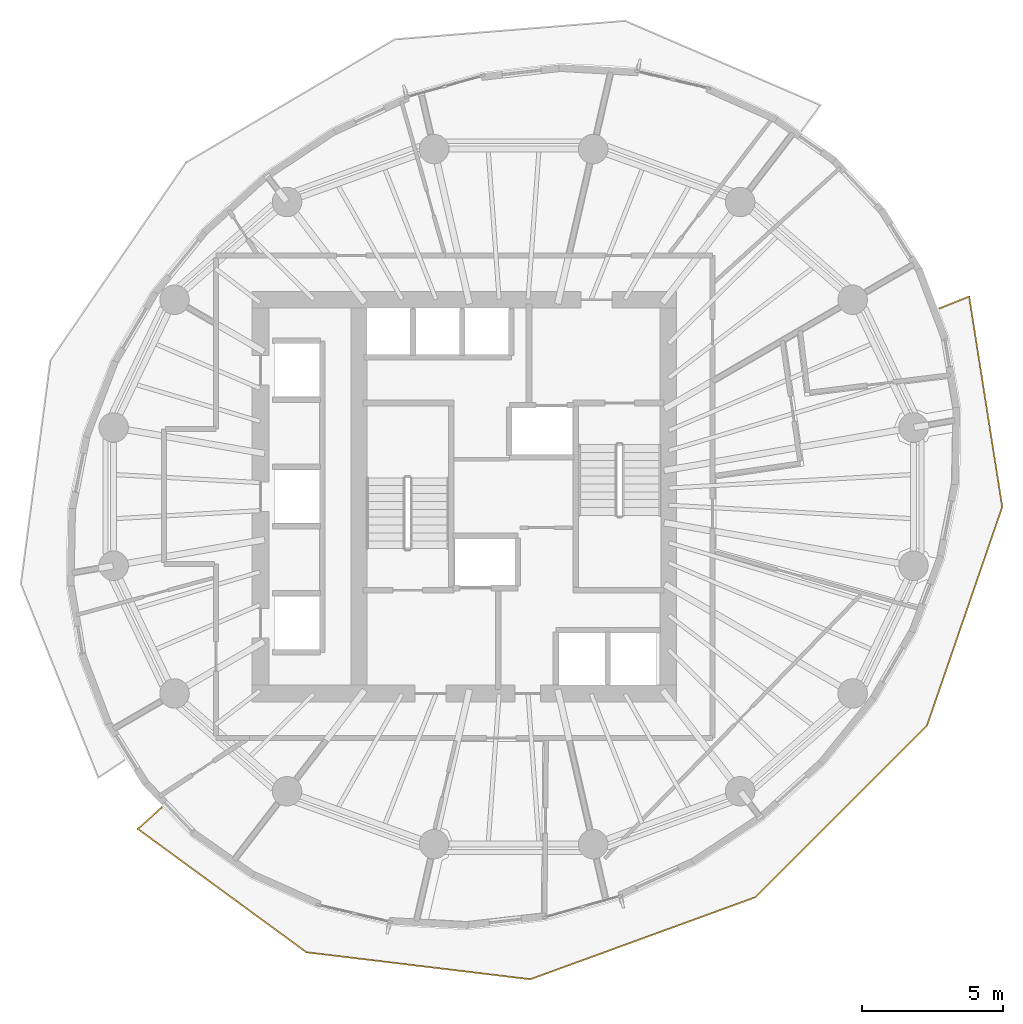
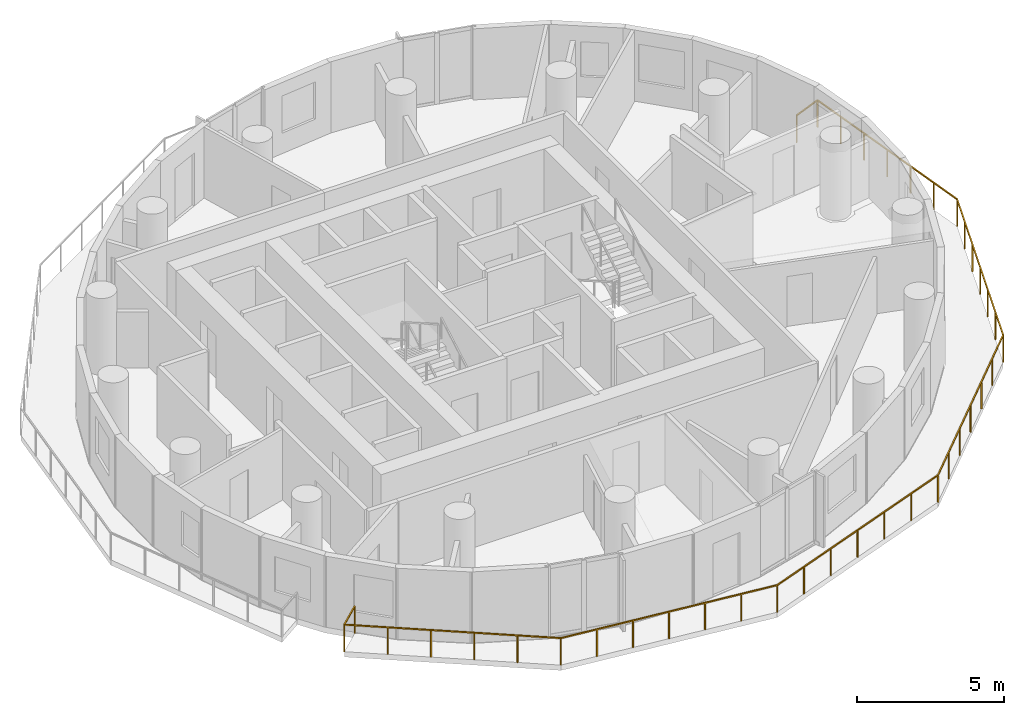
# One storey, part 10 of 13: 1 railing.
"""IFC4 building model written with IfcOpenShell, lengths in metres."""

from ifc_helpers import new_model, si_unit, direction, frame, origin, origin_2d, place, context, subcontext, project, spatial, rectangle, extrude, material, type_object, element, save


model = new_model("IFC4")

# Units and contexts
model_context = context("Model", 3, precision=1e-05, world=origin(), true_north=direction((0.0, 1.0)))
body_context = subcontext(model_context, "Body", "Model", "MODEL_VIEW")
ifc_project = project(units=[si_unit("LENGTHUNIT", "METRE"), si_unit("AREAUNIT", "SQUARE_METRE"), si_unit("VOLUMEUNIT", "CUBIC_METRE"), si_unit("PLANEANGLEUNIT", "RADIAN"), si_unit("MASSUNIT", "GRAM", prefix="KILO")], contexts=[model_context])

# Site, building, storey
site_placement = place(None, origin())
site = spatial("IfcSite", under=ifc_project, at=site_placement, CompositionType="ELEMENT")
building_placement = place(site_placement, origin())
building = spatial("IfcBuilding", under=site, at=building_placement, Name="Veldorim Arch Residences", CompositionType="ELEMENT")
storey_placement = place(building_placement, frame((0.0, 0.0, 152.159912109375)))
storey = spatial("IfcBuildingStorey", under=building, at=storey_placement, Name="L45", CompositionType="ELEMENT", Elevation=152.159912109375)

# Railing
ifc_material = material(Name="Aluminium", Category="aluminium")
railing_type = type_object("IfcRailingType", Name="Balcony & Terrace Laminated Glass Balustrade 1150", PredefinedType="BALUSTRADE", material=ifc_material)
railing_placement = place(storey_placement, frame((19.491943359375, 12.951416015625, 0.0)))
element("IfcRailing", 1, at=railing_placement, inside=storey, type_object=railing_type, Name="L45 crescent balcony safety balustrade B", PredefinedType="BALUSTRADE", context=body_context, shape_type="SweptSolid", body=[
    extrude(rectangle(XDim=0.048095703125, YDim=0.048095703125, at=origin_2d()), frame((0.0, 0.0, 1.1259765625), z_axis=(-0.742977403306, -0.66931650075, 0.0), x_axis=(0.66931650075, -0.742977403306, 0.0)), (0.0, 0.0, 1.0), 1.150146484375),
    extrude(rectangle(XDim=0.048095703125, YDim=0.048095703125, at=origin_2d()), frame((-0.8544921875, -0.769775390625, 1.1259765625), z_axis=(0.807092966632, -0.590424375525, 0.0), x_axis=(0.590424375525, 0.807092966632, 0.0)), (0.0, 0.0, 1.0), 7.428955078125),
    extrude(rectangle(XDim=0.048095703125, YDim=0.048095703125, at=origin_2d()), frame((5.141357421875, -5.156005859375, 1.1259765625), z_axis=(0.99280709634, -0.119724974241, 0.0), x_axis=(0.119724974241, 0.99280709634, 0.0)), (0.0, 0.0, 1.0), 8.02001953125),
    extrude(rectangle(XDim=0.048095703125, YDim=0.048095703125, at=origin_2d()), frame((13.103759765625, -6.1162109375, 1.1259765625), z_axis=(0.939530851567, 0.342464273981, 0.0), x_axis=(-0.342464273981, 0.939530851567, 0.0)), (0.0, 0.0, 1.0), 8.533447265625),
    extrude(rectangle(XDim=0.048095703125, YDim=0.048095703125, at=origin_2d()), frame((21.12109375, -3.19384765625, 1.1259765625), z_axis=(0.706412741279, 0.707800140547, 0.0), x_axis=(-0.707800140547, 0.706412741279, 0.0)), (0.0, 0.0, 1.0), 8.62255859375),
    extrude(rectangle(XDim=0.048095703125, YDim=0.048095703125, at=origin_2d()), frame((27.212158203125, 2.9091796875, 1.1259765625), z_axis=(0.325434154241, 0.945564704953, 0.0), x_axis=(-0.945564704953, 0.325434154241, 0.0)), (0.0, 0.0, 1.0), 8.220703125),
    extrude(rectangle(XDim=0.048095703125, YDim=0.048095703125, at=origin_2d()), frame((29.887451171875, 10.682373046875, 1.1259765625), z_axis=(-0.155654757768, 0.987811518653, 0.0), x_axis=(-0.987811518653, -0.155654757768, 0.0)), (0.0, 0.0, 1.0), 7.57568359375),
    extrude(rectangle(XDim=0.048095703125, YDim=0.048095703125, at=origin_2d()), frame((28.708251953125, 18.165771484375, 1.1259765625), z_axis=(-0.928168905955, -0.372159215951, 0.0), x_axis=(0.372159215951, -0.928168905955, 0.0)), (0.0, 0.0, 1.0), 1.14990234375),
    extrude(rectangle(XDim=0.0419921875, YDim=0.0419921875, at=origin_2d()), origin(), (0.0, 0.0, 1.0), 1.101806640625),
    extrude(rectangle(XDim=0.0419921875, YDim=0.0419921875, at=origin_2d()), frame((-0.8544921875, -0.769775390625, 0.0)), (0.0, 0.0, 1.0), 1.101806640625),
    extrude(rectangle(XDim=0.0419921875, YDim=0.0419921875, at=origin_2d()), frame((0.3447265625, -1.64697265625, 0.0)), (0.0, 0.0, 1.0), 1.101806640625),
    extrude(rectangle(XDim=0.0419921875, YDim=0.0419921875, at=origin_2d()), frame((1.5439453125, -2.524169921875, 0.0)), (0.0, 0.0, 1.0), 1.101806640625),
    extrude(rectangle(XDim=0.0419921875, YDim=0.0419921875, at=origin_2d()), frame((2.742919921875, -3.401611328125, 0.0)), (0.0, 0.0, 1.0), 1.101806640625),
    extrude(rectangle(XDim=0.0419921875, YDim=0.0419921875, at=origin_2d()), frame((3.942138671875, -4.27880859375, 0.0)), (0.0, 0.0, 1.0), 1.101806640625),
    extrude(rectangle(XDim=0.0419921875, YDim=0.0419921875, at=origin_2d()), frame((5.141357421875, -5.156005859375, 0.0)), (0.0, 0.0, 1.0), 1.101806640625),
    extrude(rectangle(XDim=0.0419921875, YDim=0.0419921875, at=origin_2d()), frame((6.468505859375, -5.31591796875, 0.0)), (0.0, 0.0, 1.0), 1.101806640625),
    extrude(rectangle(XDim=0.0419921875, YDim=0.0419921875, at=origin_2d()), frame((7.79541015625, -5.47607421875, 0.0)), (0.0, 0.0, 1.0), 1.101806640625),
    extrude(rectangle(XDim=0.0419921875, YDim=0.0419921875, at=origin_2d()), frame((9.12255859375, -5.63623046875, 0.0)), (0.0, 0.0, 1.0), 1.101806640625),
    extrude(rectangle(XDim=0.0419921875, YDim=0.0419921875, at=origin_2d()), frame((10.44970703125, -5.796142578125, 0.0)), (0.0, 0.0, 1.0), 1.101806640625),
    extrude(rectangle(XDim=0.0419921875, YDim=0.0419921875, at=origin_2d()), frame((11.776611328125, -5.9560546875, 0.0)), (0.0, 0.0, 1.0), 1.101806640625),
    extrude(rectangle(XDim=0.0419921875, YDim=0.0419921875, at=origin_2d()), frame((13.103759765625, -6.1162109375, 0.0)), (0.0, 0.0, 1.0), 1.101806640625),
    extrude(rectangle(XDim=0.0419921875, YDim=0.0419921875, at=origin_2d()), frame((14.43994140625, -5.629150390625, 0.0)), (0.0, 0.0, 1.0), 1.101806640625),
    extrude(rectangle(XDim=0.0419921875, YDim=0.0419921875, at=origin_2d()), frame((15.776123046875, -5.14208984375, 0.0)), (0.0, 0.0, 1.0), 1.101806640625),
    extrude(rectangle(XDim=0.0419921875, YDim=0.0419921875, at=origin_2d()), frame((17.1123046875, -4.655029296875, 0.0)), (0.0, 0.0, 1.0), 1.101806640625),
    extrude(rectangle(XDim=0.0419921875, YDim=0.0419921875, at=origin_2d()), frame((18.44873046875, -4.16796875, 0.0)), (0.0, 0.0, 1.0), 1.101806640625),
    extrude(rectangle(XDim=0.0419921875, YDim=0.0419921875, at=origin_2d()), frame((19.784912109375, -3.680908203125, 0.0)), (0.0, 0.0, 1.0), 1.101806640625),
    extrude(rectangle(XDim=0.0419921875, YDim=0.0419921875, at=origin_2d()), frame((21.12109375, -3.19384765625, 0.0)), (0.0, 0.0, 1.0), 1.101806640625),
    extrude(rectangle(XDim=0.0419921875, YDim=0.0419921875, at=origin_2d()), frame((22.13623046875, -2.1767578125, 0.0)), (0.0, 0.0, 1.0), 1.101806640625),
    extrude(rectangle(XDim=0.0419921875, YDim=0.0419921875, at=origin_2d()), frame((23.1513671875, -1.159423828125, 0.0)), (0.0, 0.0, 1.0), 1.101806640625),
    extrude(rectangle(XDim=0.0419921875, YDim=0.0419921875, at=origin_2d()), frame((24.16650390625, -0.142333984375, 0.0)), (0.0, 0.0, 1.0), 1.101806640625),
    extrude(rectangle(XDim=0.0419921875, YDim=0.0419921875, at=origin_2d()), frame((25.181884765625, 0.874755859375, 0.0)), (0.0, 0.0, 1.0), 1.101806640625),
    extrude(rectangle(XDim=0.0419921875, YDim=0.0419921875, at=origin_2d()), frame((26.197021484375, 1.89208984375, 0.0)), (0.0, 0.0, 1.0), 1.101806640625),
    extrude(rectangle(XDim=0.0419921875, YDim=0.0419921875, at=origin_2d()), frame((27.212158203125, 2.9091796875, 0.0)), (0.0, 0.0, 1.0), 1.101806640625),
    extrude(rectangle(XDim=0.0419921875, YDim=0.0419921875, at=origin_2d()), frame((27.657958984375, 4.20458984375, 0.0)), (0.0, 0.0, 1.0), 1.101806640625),
    extrude(rectangle(XDim=0.0419921875, YDim=0.0419921875, at=origin_2d()), frame((28.10400390625, 5.500244140625, 0.0)), (0.0, 0.0, 1.0), 1.101806640625),
    extrude(rectangle(XDim=0.0419921875, YDim=0.0419921875, at=origin_2d()), frame((28.5498046875, 6.7958984375, 0.0)), (0.0, 0.0, 1.0), 1.101806640625),
    extrude(rectangle(XDim=0.0419921875, YDim=0.0419921875, at=origin_2d()), frame((28.99560546875, 8.09130859375, 0.0)), (0.0, 0.0, 1.0), 1.101806640625),
    extrude(rectangle(XDim=0.0419921875, YDim=0.0419921875, at=origin_2d()), frame((29.441650390625, 9.38671875, 0.0)), (0.0, 0.0, 1.0), 1.101806640625),
    extrude(rectangle(XDim=0.0419921875, YDim=0.0419921875, at=origin_2d()), frame((29.887451171875, 10.682373046875, 0.0)), (0.0, 0.0, 1.0), 1.101806640625),
    extrude(rectangle(XDim=0.0419921875, YDim=0.0419921875, at=origin_2d()), frame((29.69091796875, 11.9296875, 0.0)), (0.0, 0.0, 1.0), 1.101806640625),
    extrude(rectangle(XDim=0.0419921875, YDim=0.0419921875, at=origin_2d()), frame((29.494384765625, 13.1767578125, 0.0)), (0.0, 0.0, 1.0), 1.101806640625),
    extrude(rectangle(XDim=0.0419921875, YDim=0.0419921875, at=origin_2d()), frame((29.2978515625, 14.424072265625, 0.0)), (0.0, 0.0, 1.0), 1.101806640625),
    extrude(rectangle(XDim=0.0419921875, YDim=0.0419921875, at=origin_2d()), frame((29.101318359375, 15.67138671875, 0.0)), (0.0, 0.0, 1.0), 1.101806640625),
    extrude(rectangle(XDim=0.0419921875, YDim=0.0419921875, at=origin_2d()), frame((28.90478515625, 16.91845703125, 0.0)), (0.0, 0.0, 1.0), 1.101806640625),
    extrude(rectangle(XDim=0.0419921875, YDim=0.0419921875, at=origin_2d()), frame((28.708251953125, 18.165771484375, 0.0)), (0.0, 0.0, 1.0), 1.101806640625),
    extrude(rectangle(XDim=0.0419921875, YDim=0.0419921875, at=origin_2d()), frame((27.640869140625, 17.73779296875, 0.0)), (0.0, 0.0, 1.0), 1.101806640625),
])

save(model, "model.ifc")
